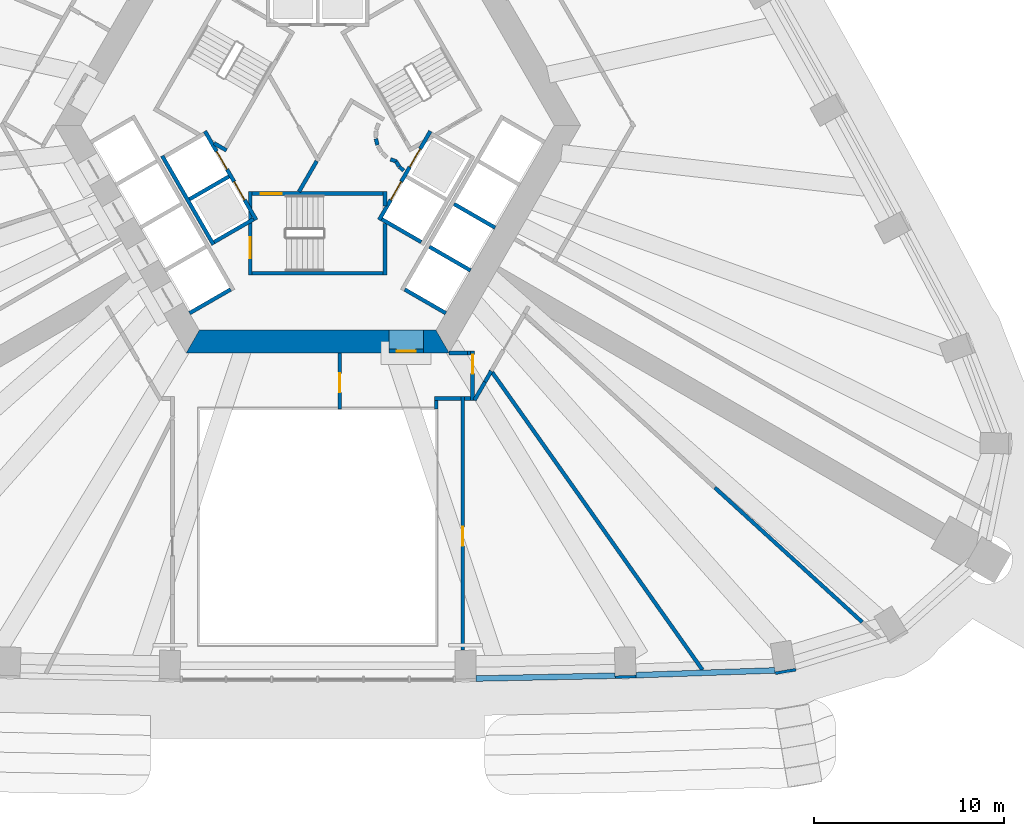
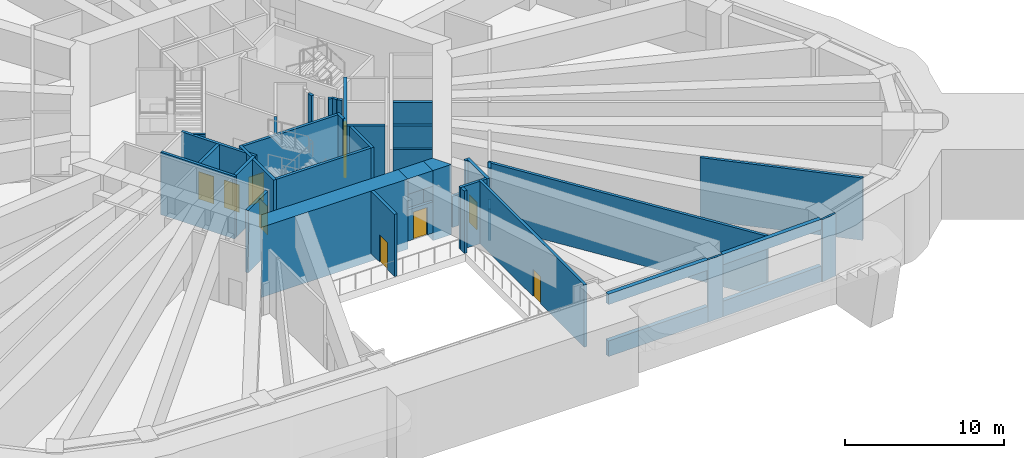
# One storey, part 6 of 20: 43 walls, 10 doors, 10 openings.
"""IFC4 building model written with IfcOpenShell, lengths in metres."""

from ifc_helpers import new_model, si_unit, direction, frame, frame_2d, origin, place, context, subcontext, project, spatial, polyline, rectangle, outline, extrude, material, layer, layer_set, type_object, element, fill, save


model = new_model("IFC4")

# Units and contexts
model_context = context("Model", 3, precision=1e-05, world=origin(), true_north=direction((0.0, 1.0)))
body_context = subcontext(model_context, "Body", "Model", "MODEL_VIEW")
ifc_project = project(units=[si_unit("LENGTHUNIT", "METRE"), si_unit("AREAUNIT", "SQUARE_METRE"), si_unit("VOLUMEUNIT", "CUBIC_METRE"), si_unit("PLANEANGLEUNIT", "RADIAN"), si_unit("MASSUNIT", "GRAM", prefix="KILO")], contexts=[model_context])

# Site, building, storey
site_placement = place(None, origin())
site = spatial("IfcSite", under=ifc_project, at=site_placement, CompositionType="ELEMENT")
building_placement = place(site_placement, origin())
building = spatial("IfcBuilding", under=site, at=building_placement, Name="Entoto Arch Interchange Tower", CompositionType="ELEMENT")
storey_placement = place(building_placement, frame((0.0, 0.0, 184.39990234375)))
storey = spatial("IfcBuildingStorey", under=building, at=storey_placement, Name="L41", CompositionType="ELEMENT", Elevation=184.39990234375)

# Wall, opening, door
ifc_material_1 = material(Name="Reinforced concrete C40/50", Category="concrete")
ifc_layer_1 = layer(ifc_material_1, 0.199951171875)
ifc_layer_set_1 = layer_set([ifc_layer_1], Name="Reinforced concrete C40/50")
wall_type_1 = type_object("IfcWallType", Name="CORE GAP INFILL WALL", PredefinedType="PARTITIONING", material=ifc_layer_set_1)
wall_1_placement = place(storey_placement, frame((3.75, -9.39990234375, 0.0), z_axis=(0.0, 0.0, 1.0), x_axis=(1.0, 0.0, 0.0)))
wall_1 = element("IfcWall", 1, at=wall_1_placement, inside=storey, type_object=wall_type_1, Name="wall:L41:gap1", PredefinedType="PARTITIONING", context=body_context, shape_type="SweptSolid", body=[
    extrude(rectangle(XDim=1.830078125, YDim=0.199951171875, at=frame_2d((0.9150390625, 0.0))), origin(), (0.0, 0.0, 1.0), 2.400146484375),
])
opening_1_placement = place(wall_1_placement, frame((0.4150390625, 0.0, 0.0)))
opening_1 = element("IfcOpeningElement", 2, at=opening_1_placement, cuts=wall_1, Name="Opening L41-D91", PredefinedType="OPENING", context=body_context, shape_type="SweptSolid", body=[
    extrude(rectangle(XDim=1.0, YDim=2.10009765625, at=frame_2d((0.5, 1.050048828125))), frame((0.0, 0.10986328125, 0.0), z_axis=(0.0, -1.0, 0.0), x_axis=(1.0, 0.0, 0.0)), (0.0, 0.0, 1.0), 0.219970703125),
])
ifc_material_2 = material(Name="Fire-rated Steel S235 door and frame", Category="steel")
door_type_1 = type_object("IfcDoorType", Name="DOOR FD-10 1000x2100", OperationType="SINGLE_SWING_LEFT", PredefinedType="DOOR", material=ifc_material_2)
door_1_placement = place(opening_1_placement, origin())
door_1 = element("IfcDoor", 3, at=door_1_placement, inside=storey, type_object=door_type_1, Name="door:L41:gap1", OperationType="SINGLE_SWING_LEFT", OverallHeight=2.10009765625, OverallWidth=1.0, PredefinedType="DOOR", context=body_context, shape_type="SweptSolid", body=[
    extrude(rectangle(XDim=1.0, YDim=2.10009765625, at=frame_2d((0.5, 1.050048828125))), frame((0.0, 0.02490234375, 0.0), z_axis=(0.0, -1.0, 0.0), x_axis=(1.0, 0.0, 0.0)), (0.0, 0.0, 1.0), 0.050048828125),
])
fill(opening_1, door_1)

# Walls
ifc_material_3 = material(Name="Concrete C50/60", Category="concrete")
ifc_layer_2 = layer(ifc_material_3, 1.199951171875)
ifc_layer_set_2 = layer_set([ifc_layer_2], Name="Concrete C50/60")
wall_type_2 = type_object("IfcWallType", Name="Core wall 1200 C50/60", PredefinedType="SHEAR", material=ifc_layer_set_2)
wall_2_placement = place(storey_placement, frame((0.0, 0.0, -0.599853515625)))
element("IfcWall", 4, at=wall_2_placement, inside=storey, type_object=wall_type_2, Name="Core wall S L41", PredefinedType="SHEAR", context=body_context, shape_type="SweptSolid", body=[
    extrude(outline(polyline([(3.75, -9.5), (3.75, -8.300048828125), (-6.235107421875, -8.300048828125), (-6.927978515625, -9.5), (3.75, -9.5)])), origin(), (0.0, 0.0, 1.0), 5.39990234375),
])
wall_3_placement = place(storey_placement, frame((0.0, 0.0, -0.599853515625)))
element("IfcWall", 5, at=wall_3_placement, inside=storey, type_object=wall_type_2, Name="Core wall S L41", PredefinedType="SHEAR", context=body_context, shape_type="SweptSolid", body=[
    extrude(outline(polyline([(5.580078125, -8.300048828125), (5.580078125, -9.5), (6.927978515625, -9.5), (6.235107421875, -8.300048828125), (5.580078125, -8.300048828125)])), origin(), (0.0, 0.0, 1.0), 5.39990234375),
])
wall_4_placement = place(storey_placement, frame((0.0, 0.0, 3.60009765625)))
element("IfcWall", 6, at=wall_4_placement, inside=storey, type_object=wall_type_2, Name="Core wall lintel S L41", PredefinedType="SHEAR", context=body_context, shape_type="SweptSolid", body=[
    extrude(outline(polyline([(5.580078125, -9.5), (5.580078125, -8.300048828125), (3.75, -8.300048828125), (3.75, -9.5), (5.580078125, -9.5)])), origin(), (0.0, 0.0, 1.0), 1.199951171875),
])

# Wall, openings, doors
ifc_material_4 = material(Name="Concrete C40/50", Category="concrete")
ifc_layer_3 = layer(ifc_material_4, 0.199951171875)
ifc_layer_set_3 = layer_set([ifc_layer_3], Name="Concrete C40/50")
wall_type_3 = type_object("IfcWallType", Name="LIFT SHAFT WALL 200", PredefinedType="STANDARD", material=ifc_layer_set_3)
wall_5_placement = place(storey_placement, frame((-5.93994140625, 2.18798828125, 0.0), z_axis=(0.0, 0.0, 1.0), x_axis=(0.500034260056, -0.866005622828, 0.0)))
wall_5 = element("IfcWall", 7, at=wall_5_placement, inside=storey, type_object=wall_type_3, Name="Shaft wall SW1 front", PredefinedType="STANDARD", context=body_context, shape_type="SweptSolid", body=[
    extrude(rectangle(XDim=5.3994140625, YDim=0.199951171875, at=frame_2d((2.69970703125, 0.0))), origin(), (0.0, 0.0, 1.0), 4.800048828125),
])
opening_2_placement = place(wall_5_placement, frame((3.074951171875, 0.0, 0.0)))
opening_2 = element("IfcOpeningElement", 8, at=opening_2_placement, cuts=wall_5, Name="Opening LD-HR4-L41", PredefinedType="OPENING", context=body_context, shape_type="SweptSolid", body=[
    extrude(rectangle(XDim=1.10009765625, YDim=2.10009765625, at=frame_2d((0.550048828125, 1.050048828125))), frame((0.0, 0.10986328125, 0.0), z_axis=(0.0, -1.0, 0.0), x_axis=(1.0, 0.0, 0.0)), (0.0, 0.0, 1.0), 0.219970703125),
])
opening_3_placement = place(wall_5_placement, frame((1.22509765625, 0.0, 0.0)))
opening_3 = element("IfcOpeningElement", 9, at=opening_3_placement, cuts=wall_5, Name="Opening LD-FF2-L41", PredefinedType="OPENING", context=body_context, shape_type="SweptSolid", body=[
    extrude(rectangle(XDim=1.10009765625, YDim=2.10009765625, at=frame_2d((0.550048828125, 1.050048828125))), frame((0.0, 0.10986328125, 0.0), z_axis=(0.0, -1.0, 0.0), x_axis=(1.0, 0.0, 0.0)), (0.0, 0.0, 1.0), 0.219970703125),
])
ifc_material_5 = material(Name="Stainless steel 1.4301 panels", Category="steel")
door_type_2 = type_object("IfcDoorType", Name="LIFT LANDING DOOR LD1 1100x2100", OperationType="SLIDING_TO_LEFT", PredefinedType="DOOR", material=ifc_material_5)
door_2_placement = place(opening_2_placement, origin())
door_2 = element("IfcDoor", 10, at=door_2_placement, inside=storey, type_object=door_type_2, Name="Lift landing door HR4 L41", OperationType="SLIDING_TO_LEFT", OverallHeight=2.10009765625, OverallWidth=1.10009765625, PredefinedType="DOOR", context=body_context, shape_type="SweptSolid", body=[
    extrude(rectangle(XDim=1.10009765625, YDim=2.10009765625, at=frame_2d((0.550048828125, 1.050048828125))), frame((0.0, 0.02490234375, 0.0), z_axis=(0.0, -1.0, 0.0), x_axis=(1.0, 0.0, 0.0)), (0.0, 0.0, 1.0), 0.050048828125),
])
fill(opening_2, door_2)
door_3_placement = place(opening_3_placement, origin())
door_3 = element("IfcDoor", 11, at=door_3_placement, inside=storey, type_object=door_type_2, Name="Lift landing door FF2 L41", OperationType="SLIDING_TO_LEFT", OverallHeight=2.10009765625, OverallWidth=1.10009765625, PredefinedType="DOOR", context=body_context, shape_type="SweptSolid", body=[
    extrude(rectangle(XDim=1.10009765625, YDim=2.10009765625, at=frame_2d((0.550048828125, 1.050048828125))), frame((0.0, 0.02490234375, 0.0), z_axis=(0.0, -1.0, 0.0), x_axis=(1.0, 0.0, 0.0)), (0.0, 0.0, 1.0), 0.050048828125),
])
fill(opening_3, door_3)

# Walls
wall_6_placement = place(storey_placement, frame((-8.19189453125, 0.887939453125, 0.0), z_axis=(0.0, 0.0, 1.0), x_axis=(0.500034260056, -0.866005622828, 0.0)))
element("IfcWall", 12, at=wall_6_placement, inside=storey, type_object=wall_type_3, Name="Shaft wall SW1 back", PredefinedType="STANDARD", context=body_context, shape_type="SweptSolid", body=[
    extrude(rectangle(XDim=5.3994140625, YDim=0.199951171875, at=frame_2d((2.69970703125, 0.0))), origin(), (0.0, 0.0, 1.0), 4.800048828125),
])
wall_7_placement = place(storey_placement, frame((-4.677001953125, -0.199951171875, 0.0), z_axis=(0.0, 0.0, 1.0), x_axis=(-0.865973769406, -0.500089422704, 0.0)))
element("IfcWall", 13, at=wall_7_placement, inside=storey, type_object=wall_type_3, Name="Shaft wall SW1 cross 2", PredefinedType="STANDARD", context=body_context, shape_type="SweptSolid", body=[
    extrude(rectangle(XDim=2.3994140625, YDim=0.199951171875, at=frame_2d((1.19970703125, 0.0))), origin(), (0.0, 0.0, 1.0), 4.800048828125),
])
wall_8_placement = place(storey_placement, frame((-3.376953125, -2.451904296875, 0.0), z_axis=(0.0, 0.0, 1.0), x_axis=(-0.865955154139, -0.50012165622, 0.0)))
element("IfcWall", 14, at=wall_8_placement, inside=storey, type_object=wall_type_3, Name="Shaft wall SW1 cross 3", PredefinedType="STANDARD", context=body_context, shape_type="SweptSolid", body=[
    extrude(rectangle(XDim=2.39990234375, YDim=0.199951171875, at=frame_2d((1.199951171875, 0.0))), origin(), (0.0, 0.0, 1.0), 4.800048828125),
])
wall_9_placement = place(storey_placement, frame((-4.587890625, -6.153076171875, 0.0), z_axis=(0.0, 0.0, 1.0), x_axis=(-0.866022959057, -0.500004234368, 0.0)))
element("IfcWall", 15, at=wall_9_placement, inside=storey, type_object=wall_type_3, Name="Shaft wall SW3 cross 5", PredefinedType="STANDARD", context=body_context, shape_type="SweptSolid", body=[
    extrude(rectangle(XDim=2.5, YDim=0.199951171875, at=frame_2d((1.25, 0.0))), origin(), (0.0, 0.0, 1.0), 4.800048828125),
])

# Wall, openings, doors
wall_10_placement = place(storey_placement, frame((3.239990234375, -2.488037109375, 0.0), z_axis=(0.0, 0.0, 1.0), x_axis=(0.500034260056, 0.866005622828, 0.0)))
wall_10 = element("IfcWall", 16, at=wall_10_placement, inside=storey, type_object=wall_type_3, Name="Shaft wall SE1 front", PredefinedType="STANDARD", context=body_context, shape_type="SweptSolid", body=[
    extrude(rectangle(XDim=5.3994140625, YDim=0.199951171875, at=frame_2d((2.69970703125, 0.0))), origin(), (0.0, 0.0, 1.0), 4.800048828125),
])
opening_4_placement = place(wall_10_placement, frame((3.22509765625, 0.0, 0.0)))
opening_4 = element("IfcOpeningElement", 17, at=opening_4_placement, cuts=wall_10, Name="Opening LD-HR3-L41", PredefinedType="OPENING", context=body_context, shape_type="SweptSolid", body=[
    extrude(rectangle(XDim=1.10009765625, YDim=2.10009765625, at=frame_2d((0.550048828125, 1.050048828125))), frame((0.0, 0.10986328125, 0.0), z_axis=(0.0, -1.0, 0.0), x_axis=(1.0, 0.0, 0.0)), (0.0, 0.0, 1.0), 0.219970703125),
])
opening_5_placement = place(wall_10_placement, frame((1.22509765625, 0.0, 0.0)))
opening_5 = element("IfcOpeningElement", 18, at=opening_5_placement, cuts=wall_10, Name="Opening LD-FF1-L41", PredefinedType="OPENING", context=body_context, shape_type="SweptSolid", body=[
    extrude(rectangle(XDim=1.10009765625, YDim=2.10009765625, at=frame_2d((0.550048828125, 1.050048828125))), frame((0.0, 0.10986328125, 0.0), z_axis=(0.0, -1.0, 0.0), x_axis=(1.0, 0.0, 0.0)), (0.0, 0.0, 1.0), 0.219970703125),
])
door_4_placement = place(opening_4_placement, origin())
door_4 = element("IfcDoor", 19, at=door_4_placement, inside=storey, type_object=door_type_2, Name="Lift landing door HR3 L41", OperationType="SLIDING_TO_LEFT", OverallHeight=2.10009765625, OverallWidth=1.10009765625, PredefinedType="DOOR", context=body_context, shape_type="SweptSolid", body=[
    extrude(rectangle(XDim=1.10009765625, YDim=2.10009765625, at=frame_2d((0.550048828125, 1.050048828125))), frame((0.0, 0.02490234375, 0.0), z_axis=(0.0, -1.0, 0.0), x_axis=(1.0, 0.0, 0.0)), (0.0, 0.0, 1.0), 0.050048828125),
])
fill(opening_4, door_4)
door_5_placement = place(opening_5_placement, origin())
door_5 = element("IfcDoor", 20, at=door_5_placement, inside=storey, type_object=door_type_2, Name="Lift landing door FF1 L41", OperationType="SLIDING_TO_LEFT", OverallHeight=2.10009765625, OverallWidth=1.10009765625, PredefinedType="DOOR", context=body_context, shape_type="SweptSolid", body=[
    extrude(rectangle(XDim=1.10009765625, YDim=2.10009765625, at=frame_2d((0.550048828125, 1.050048828125))), frame((0.0, 0.02490234375, 0.0), z_axis=(0.0, -1.0, 0.0), x_axis=(1.0, 0.0, 0.0)), (0.0, 0.0, 1.0), 0.050048828125),
])
fill(opening_5, door_5)

# Walls
wall_11_placement = place(storey_placement, frame((3.376953125, -2.451904296875, 0.0), z_axis=(0.0, 0.0, 1.0), x_axis=(0.865955154139, -0.50012165622, 0.0)))
element("IfcWall", 21, at=wall_11_placement, inside=storey, type_object=wall_type_3, Name="Shaft wall SE1 cross 1", PredefinedType="STANDARD", context=body_context, shape_type="SweptSolid", body=[
    extrude(rectangle(XDim=2.39990234375, YDim=0.199951171875, at=frame_2d((1.199951171875, 0.0))), origin(), (0.0, 0.0, 1.0), 4.800048828125),
])
for number, where, z_axis, x_axis, name in (
    (22, (4.587890625, -6.153076171875, 0.0), (0.0, 0.0, 1.0), (0.866022959057, -0.500004234368, 0.0), "Shaft wall SE3 cross 1"),
    (23, (5.887939453125, -3.902099609375, 0.0), (0.0, 0.0, 1.0), (0.866022959057, -0.500004234368, 0.0), "Shaft wall SE3 cross 2"),
    (24, (7.18798828125, -1.64990234375, 0.0), (0.0, 0.0, 1.0), (0.866022959057, -0.500004234368, 0.0), "Shaft wall SE3 cross 3"),
):
    element("IfcWall", number, at=place(storey_placement, frame(where, z_axis=z_axis, x_axis=x_axis)), inside=storey, type_object=wall_type_3, Name=name, PredefinedType="STANDARD", context=body_context, shape_type="SweptSolid", body=[
        extrude(rectangle(XDim=2.5, YDim=0.199951171875, at=frame_2d((1.25, 0.0))), origin(), (0.0, 0.0, 1.0), 4.800048828125),
    ])
ifc_material_6 = material(Name="Gypsum board partition on steel studs", Category="steel")
ifc_layer_4 = layer(ifc_material_6, 0.199951171875)
ifc_layer_set_4 = layer_set([ifc_layer_4], Name="Gypsum board partition on steel studs")
wall_type_4 = type_object("IfcWallType", Name="PARTITION 200", PredefinedType="PARTITIONING", material=ifc_layer_set_4)
wall_12_placement = place(storey_placement, frame((-0.98193359375, -1.0, 0.0), z_axis=(0.0, 0.0, 1.0), x_axis=(0.50024047865, 0.865886518847, 0.0)))
element("IfcWall", 25, at=wall_12_placement, inside=storey, type_object=wall_type_4, Name="wall:L41:p007", PredefinedType="PARTITIONING", context=body_context, shape_type="SweptSolid", body=[
    extrude(rectangle(XDim=1.86279296875, YDim=0.199951171875, at=frame_2d((0.931396484375, 0.0))), origin(), (0.0, 0.0, 1.0), 4.800048828125),
])
wall_13_placement = place(storey_placement, frame((3.070068359375, 1.785888671875, 0.0), z_axis=(0.0, 0.0, 1.0), x_axis=(0.242705583207, -0.970099994784, 0.0)))
element("IfcWall", 26, at=wall_13_placement, inside=storey, type_object=wall_type_4, Name="wall:L41:p011", PredefinedType="PARTITIONING", context=body_context, shape_type="SweptSolid", body=[
    extrude(rectangle(XDim=0.337890625, YDim=0.199951171875, at=frame_2d((0.1689453125, 0.0))), origin(), (0.0, 0.0, 1.0), 4.800048828125),
])
wall_14_placement = place(storey_placement, frame((3.837890625, 0.701904296875, 0.0), z_axis=(0.0, 0.0, 1.0), x_axis=(0.941035081519, -0.338308993895, 0.0)))
element("IfcWall", 27, at=wall_14_placement, inside=storey, type_object=wall_type_4, Name="wall:L41:p014", PredefinedType="PARTITIONING", context=body_context, shape_type="SweptSolid", body=[
    extrude(rectangle(XDim=0.3369140625, YDim=0.199951171875, at=frame_2d((0.16845703125, 0.0))), origin(), (0.0, 0.0, 1.0), 4.800048828125),
])
wall_15_placement = place(storey_placement, frame((4.132080078125, 0.593017578125, 0.0), z_axis=(0.0, 0.0, 1.0), x_axis=(0.513561617048, -0.858052717201, 0.0)))
element("IfcWall", 28, at=wall_15_placement, inside=storey, type_object=wall_type_4, Name="wall:L41:p015", PredefinedType="PARTITIONING", context=body_context, shape_type="SweptSolid", body=[
    extrude(rectangle(XDim=0.3076171875, YDim=0.199951171875, at=frame_2d((0.15380859375, 0.0))), origin(), (0.0, 0.0, 1.0), 4.800048828125),
])
wall_16_placement = place(storey_placement, frame((4.301025390625, 0.31494140625, 0.0), z_axis=(0.0, 0.0, 1.0), x_axis=(0.741798017506, -0.670623367639, 0.0)))
element("IfcWall", 29, at=wall_16_placement, inside=storey, type_object=wall_type_4, Name="wall:L41:p016", PredefinedType="PARTITIONING", context=body_context, shape_type="SweptSolid", body=[
    extrude(rectangle(XDim=0.30859375, YDim=0.199951171875, at=frame_2d((0.154296875, 0.0))), origin(), (0.0, 0.0, 1.0), 4.800048828125),
])

# Wall, opening, door
wall_17_placement = place(storey_placement, frame((1.1650390625, -12.449951171875, 0.0), z_axis=(0.0, 0.0, 1.0), x_axis=(0.0, 1.0, 0.0)))
wall_17 = element("IfcWall", 30, at=wall_17_placement, inside=storey, type_object=wall_type_4, Name="wall:L41:p019", PredefinedType="PARTITIONING", context=body_context, shape_type="SweptSolid", body=[
    extrude(rectangle(XDim=2.949951171875, YDim=0.199951171875, at=frame_2d((1.47509765625, 0.0))), origin(), (0.0, 0.0, 1.0), 4.800048828125),
])
opening_6_placement = place(wall_17_placement, frame((0.8759765625, 0.0, 0.0)))
opening_6 = element("IfcOpeningElement", 31, at=opening_6_placement, cuts=wall_17, Name="Opening L41-D01", PredefinedType="OPENING", context=body_context, shape_type="SweptSolid", body=[
    extrude(rectangle(XDim=1.0, YDim=2.10009765625, at=frame_2d((0.5, 1.050048828125))), frame((0.0, 0.10986328125, 0.0), z_axis=(0.0, -1.0, 0.0), x_axis=(1.0, 0.0, 0.0)), (0.0, 0.0, 1.0), 0.219970703125),
])
door_6_placement = place(opening_6_placement, origin())
door_6 = element("IfcDoor", 32, at=door_6_placement, inside=storey, type_object=door_type_1, Name="door:L41:01", OperationType="SINGLE_SWING_LEFT", OverallHeight=2.10009765625, OverallWidth=1.0, PredefinedType="DOOR", context=body_context, shape_type="SweptSolid", body=[
    extrude(rectangle(XDim=1.0, YDim=2.10009765625, at=frame_2d((0.5, 1.050048828125))), frame((0.0, 0.02490234375, 0.0), z_axis=(0.0, -1.0, 0.0), x_axis=(1.0, 0.0, 0.0)), (0.0, 0.0, 1.0), 0.050048828125),
])
fill(opening_6, door_6)

# Walls
wall_18_placement = place(storey_placement, frame((7.550048828125, -11.89990234375, 0.0), z_axis=(0.0, 0.0, 1.0), x_axis=(-1.0, 0.0, 0.0)))
element("IfcWall", 33, at=wall_18_placement, inside=storey, type_object=wall_type_4, Name="wall:L41:p020", PredefinedType="PARTITIONING", context=body_context, shape_type="SweptSolid", body=[
    extrude(rectangle(XDim=1.399169921875, YDim=0.199951171875, at=frame_2d((0.69970703125, 0.0))), origin(), (0.0, 0.0, 1.0), 4.800048828125),
])
wall_19_placement = place(storey_placement, frame((6.25, -12.0, 0.0), z_axis=(0.0, 0.0, 1.0), x_axis=(0.0, -1.0, 0.0)))
element("IfcWall", 34, at=wall_19_placement, inside=storey, type_object=wall_type_4, Name="wall:L41:p021", PredefinedType="PARTITIONING", context=body_context, shape_type="SweptSolid", body=[
    extrude(rectangle(XDim=0.449951171875, YDim=0.199951171875, at=frame_2d((0.22509765625, 0.0))), origin(), (0.0, 0.0, 1.0), 4.800048828125),
])
wall_20_placement = place(storey_placement, frame((6.927978515625, -9.5, 0.0), z_axis=(0.0, 0.0, 1.0), x_axis=(1.0, 0.0, 0.0)))
element("IfcWall", 35, at=wall_20_placement, inside=storey, type_object=wall_type_4, Name="wall:L41:p022", PredefinedType="PARTITIONING", context=body_context, shape_type="SweptSolid", body=[
    extrude(rectangle(XDim=0.9619140625, YDim=0.199951171875, at=frame_2d((0.48095703125, 0.0))), origin(), (0.0, 0.0, 1.0), 2.400146484375),
])

# Wall, opening, door
wall_21_placement = place(storey_placement, frame((8.1650390625, -9.39990234375, 0.0), z_axis=(0.0, 0.0, 1.0), x_axis=(0.0, -1.0, 0.0)))
wall_21 = element("IfcWall", 36, at=wall_21_placement, inside=storey, type_object=wall_type_4, Name="wall:L41:p023", PredefinedType="PARTITIONING", context=body_context, shape_type="SweptSolid", body=[
    extrude(rectangle(XDim=2.60009765625, YDim=0.199951171875, at=frame_2d((1.300048828125, 0.0))), origin(), (0.0, 0.0, 1.0), 4.800048828125),
])
opening_7_placement = place(wall_21_placement, frame((0.18408203125, 0.0, 0.0)))
opening_7 = element("IfcOpeningElement", 37, at=opening_7_placement, cuts=wall_21, Name="Opening L41-D02", PredefinedType="OPENING", context=body_context, shape_type="SweptSolid", body=[
    extrude(rectangle(XDim=1.0, YDim=2.10009765625, at=frame_2d((0.5, 1.050048828125))), frame((0.0, 0.10986328125, 0.0), z_axis=(0.0, -1.0, 0.0), x_axis=(1.0, 0.0, 0.0)), (0.0, 0.0, 1.0), 0.219970703125),
])
door_7_placement = place(opening_7_placement, origin())
door_7 = element("IfcDoor", 38, at=door_7_placement, inside=storey, type_object=door_type_1, Name="door:L41:02", OperationType="SINGLE_SWING_RIGHT", OverallHeight=2.10009765625, OverallWidth=1.0, PredefinedType="DOOR", context=body_context, shape_type="SweptSolid", body=[
    extrude(rectangle(XDim=1.0, YDim=2.10009765625, at=frame_2d((0.5, 1.050048828125))), frame((0.0, 0.02490234375, 0.0), z_axis=(0.0, -1.0, 0.0), x_axis=(1.0, 0.0, 0.0)), (0.0, 0.0, 1.0), 0.050048828125),
])
fill(opening_7, door_7)

# Wall
wall_22_placement = place(storey_placement, frame((8.06494140625, -11.89990234375, 0.0), z_axis=(0.0, 0.0, 1.0), x_axis=(-1.0, 0.0, 0.0)))
element("IfcWall", 39, at=wall_22_placement, inside=storey, type_object=wall_type_4, Name="wall:L41:p024", PredefinedType="PARTITIONING", context=body_context, shape_type="SweptSolid", body=[
    extrude(rectangle(XDim=0.31494140625, YDim=0.199951171875, at=frame_2d((0.157470703125, 0.0))), origin(), (0.0, 0.0, 1.0), 4.800048828125),
])

# Wall, opening, door
wall_23_placement = place(storey_placement, frame((7.64990234375, -11.800048828125, 0.0), z_axis=(0.0, 0.0, 1.0), x_axis=(0.0, -1.0, 0.0)))
wall_23 = element("IfcWall", 40, at=wall_23_placement, inside=storey, type_object=wall_type_4, Name="wall:L41:p025", PredefinedType="PARTITIONING", context=body_context, shape_type="SweptSolid", body=[
    extrude(rectangle(XDim=13.348876953125, YDim=0.199951171875, at=frame_2d((6.67431640625, 0.0))), origin(), (0.0, 0.0, 1.0), 4.800048828125),
])
opening_8_placement = place(wall_23_placement, frame((6.866943359375, 0.0, 0.0)))
opening_8 = element("IfcOpeningElement", 41, at=opening_8_placement, cuts=wall_23, Name="Opening L41-D18", PredefinedType="OPENING", context=body_context, shape_type="SweptSolid", body=[
    extrude(rectangle(XDim=1.0, YDim=2.10009765625, at=frame_2d((0.5, 1.050048828125))), frame((0.0, 0.10986328125, 0.0), z_axis=(0.0, -1.0, 0.0), x_axis=(1.0, 0.0, 0.0)), (0.0, 0.0, 1.0), 0.219970703125),
])
ifc_material_7 = material(Name="Timber door leaf in Steel S235 frame", Category="steel")
door_type_3 = type_object("IfcDoorType", Name="DOOR DS-10 1000x2100", OperationType="SINGLE_SWING_LEFT", PredefinedType="DOOR", material=ifc_material_7)
door_8_placement = place(opening_8_placement, origin())
door_8 = element("IfcDoor", 42, at=door_8_placement, inside=storey, type_object=door_type_3, Name="door:L41:18", OperationType="SINGLE_SWING_RIGHT", OverallHeight=2.10009765625, OverallWidth=1.0, PredefinedType="DOOR", context=body_context, shape_type="SweptSolid", body=[
    extrude(rectangle(XDim=1.0, YDim=2.10009765625, at=frame_2d((0.5, 1.050048828125))), frame((0.0, 0.02490234375, 0.0), z_axis=(0.0, -1.0, 0.0), x_axis=(1.0, 0.0, 0.0)), (0.0, 0.0, 1.0), 0.050048828125),
])
fill(opening_8, door_8)

# Walls
wall_24_placement = place(storey_placement, frame((9.14990234375, -10.450927734375, 0.0), z_axis=(0.0, 0.0, 1.0), x_axis=(-0.499595985407, -0.8662585361, 0.0)))
element("IfcWall", 43, at=wall_24_placement, inside=storey, type_object=wall_type_4, Name="wall:L41:p030", PredefinedType="PARTITIONING", context=body_context, shape_type="SweptSolid", body=[
    extrude(rectangle(XDim=0.66845703125, YDim=0.199951171875, at=frame_2d((0.334228515625, 0.0))), origin(), (0.0, 0.0, 1.0), 4.800048828125),
])
wall_25_placement = place(storey_placement, frame((9.092041015625, -10.3701171875, 0.0), z_axis=(0.0, 0.0, 1.0), x_axis=(0.57710323801, -0.816671202308, 0.0)))
element("IfcWall", 44, at=wall_25_placement, inside=storey, type_object=wall_type_4, Name="wall:L41:p033", PredefinedType="PARTITIONING", context=body_context, shape_type="SweptSolid", body=[
    extrude(rectangle(XDim=19.393310546875, YDim=0.199951171875, at=frame_2d((9.69677734375, 0.0))), origin(), (0.0, 0.0, 1.0), 4.800048828125),
])
wall_26_placement = place(storey_placement, frame((7.889892578125, -9.5, 0.0), z_axis=(0.0, 0.0, 1.0), x_axis=(1.0, 0.0, 0.0)))
element("IfcWall", 45, at=wall_26_placement, inside=storey, type_object=wall_type_4, Name="wall:L41:p022", PredefinedType="PARTITIONING", context=body_context, shape_type="SweptSolid", body=[
    extrude(rectangle(XDim=0.175048828125, YDim=0.199951171875, at=frame_2d((0.08740234375, 0.0))), origin(), (0.0, 0.0, 1.0), 4.800048828125),
])
wall_27_placement = place(storey_placement, frame((8.81591796875, -11.030029296875, 0.0), z_axis=(0.0, 0.0, 1.0), x_axis=(-0.499633176362, -0.866237085952, 0.0)))
element("IfcWall", 46, at=wall_27_placement, inside=storey, type_object=wall_type_4, Name="wall:L41:p030", PredefinedType="PARTITIONING", context=body_context, shape_type="SweptSolid", body=[
    extrude(rectangle(XDim=1.104736328125, YDim=0.199951171875, at=frame_2d((0.55224609375, 0.0))), origin(), (0.0, 0.0, 1.0), 2.400146484375),
])
wall_28_placement = place(storey_placement, frame((20.928955078125, -16.596923828125, 0.0), z_axis=(0.0, 0.0, 1.0), x_axis=(0.738717318159, -0.674015373602, 0.0)))
element("IfcWall", 47, at=wall_28_placement, inside=storey, type_object=wall_type_4, Name="wall:L41:p036", PredefinedType="PARTITIONING", context=body_context, shape_type="SweptSolid", body=[
    extrude(rectangle(XDim=10.5087890625, YDim=0.199951171875, at=frame_2d((5.25439453125, 0.0))), origin(), (0.0, 0.0, 1.0), 4.800048828125),
])
ifc_material_8 = material(Name="Board-marked precast concrete C50/60", Category="concrete")
ifc_layer_5 = layer(ifc_material_8, 0.14990234375)
ifc_layer_set_5 = layer_set([ifc_layer_5], Name="Board-marked precast concrete C50/60")
wall_type_5 = type_object("IfcWallType", Name="PRECAST FRAME WALL 150", PredefinedType="STANDARD", material=ifc_layer_set_5)
wall_29_placement = place(storey_placement, frame((15.681884765625, -26.589111328125, 0.0), z_axis=(0.0, 0.0, 1.0), x_axis=(0.99951682968, 0.031082264806, 0.0)))
element("IfcWall", 48, at=wall_29_placement, inside=storey, type_object=wall_type_5, Name="Frame pier S05 L41", PredefinedType="STANDARD", context=body_context, shape_type="SweptSolid", body=[
    extrude(rectangle(XDim=1.099609375, YDim=0.14990234375, at=frame_2d((0.5498046875, 0.0))), origin(), (0.0, 0.0, 1.0), 4.800048828125),
])
wall_30_placement = place(storey_placement, frame((24.114013671875, -26.3759765625, 0.0), z_axis=(0.0, 0.0, 1.0), x_axis=(0.985763338892, 0.168138751323, 0.0)))
element("IfcWall", 49, at=wall_30_placement, inside=storey, type_object=wall_type_5, Name="Frame pier S06 L41", PredefinedType="STANDARD", context=body_context, shape_type="SweptSolid", body=[
    extrude(rectangle(XDim=1.1005859375, YDim=0.14990234375, at=frame_2d((0.55029296875, 0.0))), origin(), (0.0, 0.0, 1.0), 4.800048828125),
])
ifc_layer_6 = layer(ifc_material_8, 0.300048828125)
ifc_layer_set_6 = layer_set([ifc_layer_6], Name="Board-marked precast concrete C50/60")
wall_type_6 = type_object("IfcWallType", Name="PRECAST FRAME WALL 300", PredefinedType="STANDARD", material=ifc_layer_set_6)
wall_31_placement = place(storey_placement, frame((8.346923828125, -26.656005859375, 0.0), z_axis=(0.0, 0.0, 1.0), x_axis=(0.999796530884, 0.020171683903, 0.0)))
element("IfcWall", 50, at=wall_31_placement, inside=storey, type_object=wall_type_6, Name="Frame sill wall S-04 L41", PredefinedType="STANDARD", context=body_context, shape_type="SweptSolid", body=[
    extrude(rectangle(XDim=7.33447265625, YDim=0.300048828125, at=frame_2d((3.667236328125, 0.0))), origin(), (0.0, 0.0, 1.0), 1.2001953125),
])
wall_32_placement = place(storey_placement, frame((8.346923828125, -26.656005859375, 4.0), z_axis=(0.0, 0.0, 1.0), x_axis=(0.999796530884, 0.020171683903, 0.0)))
element("IfcWall", 51, at=wall_32_placement, inside=storey, type_object=wall_type_6, Name="Frame head wall S-04 L41", PredefinedType="STANDARD", context=body_context, shape_type="SweptSolid", body=[
    extrude(rectangle(XDim=7.33447265625, YDim=0.300048828125, at=frame_2d((3.667236328125, 0.0))), origin(), (0.0, 0.0, 1.0), 0.800048828125),
])
wall_33_placement = place(storey_placement, frame((16.778076171875, -26.47802734375, 0.0), z_axis=(0.0, 0.0, 1.0), x_axis=(0.999411455851, 0.034303672007, 0.0)))
element("IfcWall", 52, at=wall_33_placement, inside=storey, type_object=wall_type_6, Name="Frame sill wall S-05 L41", PredefinedType="STANDARD", context=body_context, shape_type="SweptSolid", body=[
    extrude(rectangle(XDim=7.31640625, YDim=0.300048828125, at=frame_2d((3.658203125, 0.0))), origin(), (0.0, 0.0, 1.0), 1.2001953125),
])
wall_34_placement = place(storey_placement, frame((16.778076171875, -26.47802734375, 4.0), z_axis=(0.0, 0.0, 1.0), x_axis=(0.999411455851, 0.034303672007, 0.0)))
element("IfcWall", 53, at=wall_34_placement, inside=storey, type_object=wall_type_6, Name="Frame head wall S-05 L41", PredefinedType="STANDARD", context=body_context, shape_type="SweptSolid", body=[
    extrude(rectangle(XDim=7.31640625, YDim=0.300048828125, at=frame_2d((3.658203125, 0.0))), origin(), (0.0, 0.0, 1.0), 0.800048828125),
])

# Wall, opening, door
ifc_layer_7 = layer(ifc_material_4, 0.199951171875)
ifc_layer_set_7 = layer_set([ifc_layer_7], Name="Concrete C40/50")
wall_type_7 = type_object("IfcWallType", Name="STAIR ENCLOSURE WALL 200", PredefinedType="STANDARD", material=ifc_layer_set_7)
wall_35_placement = place(storey_placement, frame((-3.550048828125, -1.0, 0.0), z_axis=(0.0, 0.0, 1.0), x_axis=(0.0, -1.0, 0.0)))
wall_35 = element("IfcWall", 54, at=wall_35_placement, inside=storey, type_object=wall_type_7, Name="Stair wall ST-S near", PredefinedType="STANDARD", context=body_context, shape_type="SweptSolid", body=[
    extrude(rectangle(XDim=4.39990234375, YDim=0.199951171875, at=frame_2d((2.199951171875, 0.0))), origin(), (0.0, 0.0, 1.0), 4.800048828125),
])
opening_9_placement = place(wall_35_placement, frame((2.39990234375, 0.0, 0.0)))
opening_9 = element("IfcOpeningElement", 55, at=opening_9_placement, cuts=wall_35, Name="Opening SD-ST-S-L41-E", PredefinedType="OPENING", context=body_context, shape_type="SweptSolid", body=[
    extrude(rectangle(XDim=1.10009765625, YDim=2.199951171875, at=frame_2d((0.550048828125, 1.10009765625))), frame((0.0, 0.10986328125, 0.0), z_axis=(0.0, -1.0, 0.0), x_axis=(1.0, 0.0, 0.0)), (0.0, 0.0, 1.0), 0.219970703125),
])
ifc_material_9 = material(Name="Steel S235", Category="steel")
door_type_4 = type_object("IfcDoorType", Name="STAIR DOOR SD1 1100x2200", OperationType="SINGLE_SWING_LEFT", PredefinedType="DOOR", material=ifc_material_9)
door_9_placement = place(opening_9_placement, origin())
door_9 = element("IfcDoor", 56, at=door_9_placement, inside=storey, type_object=door_type_4, Name="Stair door ST-S L41 end", OperationType="SINGLE_SWING_LEFT", OverallHeight=2.199951171875, OverallWidth=1.10009765625, PredefinedType="DOOR", context=body_context, shape_type="SweptSolid", body=[
    extrude(rectangle(XDim=1.10009765625, YDim=2.199951171875, at=frame_2d((0.550048828125, 1.10009765625))), frame((0.0, 0.02490234375, 0.0), z_axis=(0.0, -1.0, 0.0), x_axis=(1.0, 0.0, 0.0)), (0.0, 0.0, 1.0), 0.050048828125),
])
fill(opening_9, door_9)

# Walls
wall_36_placement = place(storey_placement, frame((3.550048828125, -2.6669921875, 0.0), z_axis=(0.0, 0.0, 1.0), x_axis=(0.0, -1.0, 0.0)))
element("IfcWall", 57, at=wall_36_placement, inside=storey, type_object=wall_type_7, Name="Stair wall ST-S far", PredefinedType="STANDARD", context=body_context, shape_type="SweptSolid", body=[
    extrude(rectangle(XDim=2.73291015625, YDim=0.199951171875, at=frame_2d((1.366455078125, 0.0))), origin(), (0.0, 0.0, 1.0), 4.800048828125),
])
wall_37_placement = place(storey_placement, frame((3.550048828125, -1.0, 0.0), z_axis=(0.0, 0.0, 1.0), x_axis=(0.0, -1.0, 0.0)))
element("IfcWall", 58, at=wall_37_placement, inside=storey, type_object=wall_type_7, Name="Stair wall ST-S far return", PredefinedType="STANDARD", context=body_context, shape_type="SweptSolid", body=[
    extrude(rectangle(XDim=0.7509765625, YDim=0.199951171875, at=frame_2d((0.37548828125, 0.0))), origin(), (0.0, 0.0, 1.0), 4.800048828125),
])

# Wall, opening, door
wall_38_placement = place(storey_placement, frame((-3.449951171875, -1.10009765625, 0.0), z_axis=(0.0, 0.0, 1.0), x_axis=(1.0, 0.0, 0.0)))
wall_38 = element("IfcWall", 59, at=wall_38_placement, inside=storey, type_object=wall_type_7, Name="Stair wall ST-S hall", PredefinedType="STANDARD", context=body_context, shape_type="SweptSolid", body=[
    extrude(rectangle(XDim=6.89990234375, YDim=0.199951171875, at=frame_2d((3.449951171875, 0.0))), origin(), (0.0, 0.0, 1.0), 4.800048828125),
])
opening_10_placement = place(wall_38_placement, frame((0.449951171875, 0.0, 0.0)))
opening_10 = element("IfcOpeningElement", 60, at=opening_10_placement, cuts=wall_38, Name="Opening SD-ST-S-L41", PredefinedType="OPENING", context=body_context, shape_type="SweptSolid", body=[
    extrude(rectangle(XDim=1.10009765625, YDim=2.199951171875, at=frame_2d((0.550048828125, 1.10009765625))), frame((0.0, 0.10986328125, 0.0), z_axis=(0.0, -1.0, 0.0), x_axis=(1.0, 0.0, 0.0)), (0.0, 0.0, 1.0), 0.219970703125),
])
door_10_placement = place(opening_10_placement, origin())
door_10 = element("IfcDoor", 61, at=door_10_placement, inside=storey, type_object=door_type_4, Name="Stair door ST-S L41", OperationType="SINGLE_SWING_LEFT", OverallHeight=2.199951171875, OverallWidth=1.10009765625, PredefinedType="DOOR", context=body_context, shape_type="SweptSolid", body=[
    extrude(rectangle(XDim=1.10009765625, YDim=2.199951171875, at=frame_2d((0.550048828125, 1.10009765625))), frame((0.0, 0.02490234375, 0.0), z_axis=(0.0, -1.0, 0.0), x_axis=(1.0, 0.0, 0.0)), (0.0, 0.0, 1.0), 0.050048828125),
])
fill(opening_10, door_10)

# Walls
wall_39_placement = place(storey_placement, frame((-3.449951171875, -5.300048828125, 0.0), z_axis=(0.0, 0.0, 1.0), x_axis=(1.0, 0.0, 0.0)))
element("IfcWall", 62, at=wall_39_placement, inside=storey, type_object=wall_type_7, Name="Stair wall ST-S back", PredefinedType="STANDARD", context=body_context, shape_type="SweptSolid", body=[
    extrude(rectangle(XDim=6.89990234375, YDim=0.199951171875, at=frame_2d((3.449951171875, 0.0))), origin(), (0.0, 0.0, 1.0), 4.800048828125),
])
wall_40_placement = place(storey_placement, frame((-4.805908203125, 1.176025390625, 0.0), z_axis=(0.0, 0.0, 1.0), x_axis=(-0.866558586415, 0.499075361355, 0.0)))
element("IfcWall", 63, at=wall_40_placement, inside=storey, type_object=wall_type_7, Name="Stair wall ST-NW far return", PredefinedType="STANDARD", context=body_context, shape_type="SweptSolid", body=[
    extrude(rectangle(XDim=0.75146484375, YDim=0.199951171875, at=frame_2d((0.375732421875, 0.0))), origin(), (0.0, 0.0, 1.0), 4.800048828125),
])

save(model, "model.ifc")
